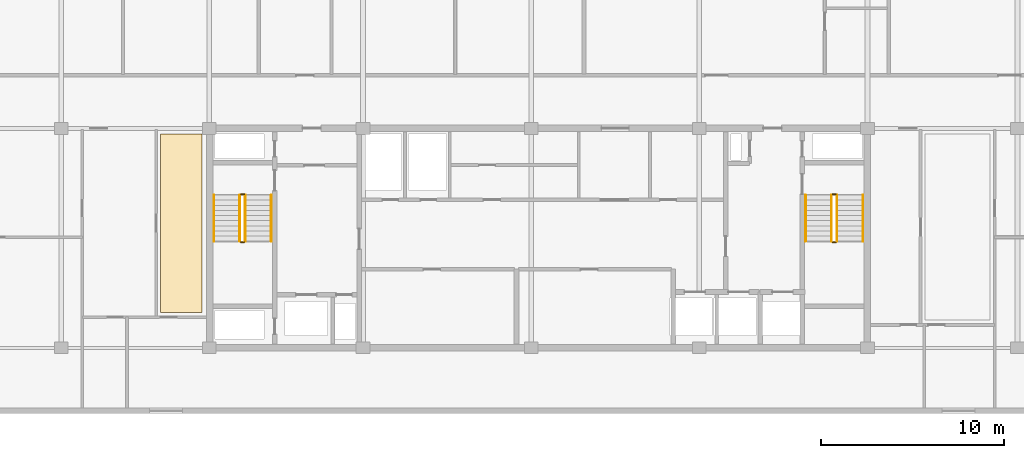
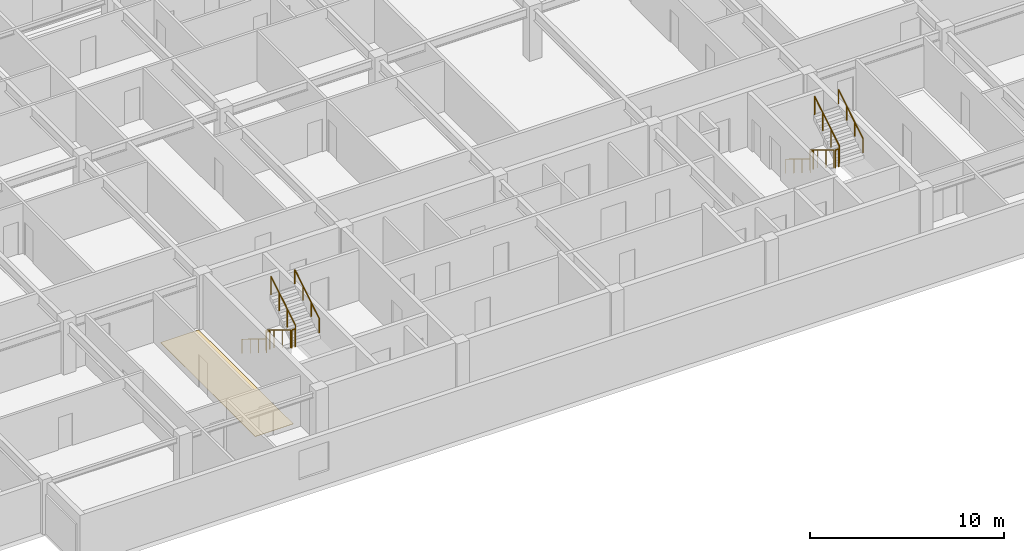
# One storey, part 10 of 11: 12 railings, 1 covering.
"""IFC4 building model written with IfcOpenShell, lengths in metres."""

from ifc_helpers import new_model, si_unit, direction, frame, origin, origin_2d, place, context, subcontext, project, spatial, polyline, circle, outline, extrude, material, layer, layer_set, type_object, element, save


model = new_model("IFC4")

# Units and contexts
model_context = context("Model", 3, precision=1e-05, world=origin(), true_north=direction((0.0, 1.0)))
body_context = subcontext(model_context, "Body", "Model", "MODEL_VIEW")
ifc_project = project(units=[si_unit("LENGTHUNIT", "METRE"), si_unit("AREAUNIT", "SQUARE_METRE"), si_unit("VOLUMEUNIT", "CUBIC_METRE"), si_unit("PLANEANGLEUNIT", "RADIAN"), si_unit("MASSUNIT", "GRAM", prefix="KILO")], contexts=[model_context])

# Site, building, storey
site_placement = place(None, origin())
site = spatial("IfcSite", under=ifc_project, at=site_placement, CompositionType="ELEMENT")
building_placement = place(site_placement, origin())
building = spatial("IfcBuilding", under=site, at=building_placement, Name="Korimba Cascade Residences", CompositionType="ELEMENT")
storey_placement = place(building_placement, frame((0.0, 0.0, 256.25)))
storey = spatial("IfcBuildingStorey", under=building, at=storey_placement, Name="L74", CompositionType="ELEMENT", Elevation=256.25)

# Covering
ifc_material_1 = material(Name="Engineered Spotted-Gum Timber Flooring", Category="wood")
ifc_layer = layer(ifc_material_1, 0.02001953125)
ifc_layer_set = layer_set([ifc_layer], Name="Engineered Spotted-Gum Timber Flooring")
covering_type = type_object("IfcCoveringType", Name="COV-FLR-TIM", PredefinedType="FLOORING", material=ifc_layer_set)
covering_placement = place(storey_placement, origin())
element("IfcCovering", 1, at=covering_placement, inside=storey, type_object=covering_type, Name="L74 Spotted-Gum Timber Flooring L74-T1-FW-L", PredefinedType="FLOORING", context=body_context, shape_type="SweptSolid", body=[
    extrude(outline(polyline([(73.429931640625, 57.139892578125), (75.699951171875, 57.139892578125), (75.699951171875, 66.89990234375), (73.429931640625, 66.89990234375), (73.429931640625, 57.139892578125)])), origin(), (0.0, 0.0, 1.0), 0.02001953125),
])

# Railings
ifc_material_2 = material(Name="Painted Steel Stairwell Guardrail", Category="steel")
railing_type_1 = type_object("IfcRailingType", Name="RLG-ST-GD1150", PredefinedType="GUARDRAIL", material=ifc_material_2)
railing_1_placement = place(storey_placement, frame((77.77001953125, 63.550048828125, 0.172607421875)))
element("IfcRailing", 2, at=railing_1_placement, inside=storey, type_object=railing_type_1, Name="L74 ST-W1 stair guard 1", PredefinedType="GUARDRAIL", context=body_context, shape_type="SweptSolid", body=[
    extrude(circle(Radius=0.02392578125, at=origin_2d()), frame((0.0, 0.0, 1.1259765625), z_axis=(0.0, -0.851400495292, 0.524516154772), x_axis=(1.0, 0.0, 0.0)), (0.0, 0.0, 1.0), 2.9599609375),
    extrude(circle(Radius=0.02099609375, at=origin_2d()), origin(), (0.0, 0.0, 1.0), 1.101806640625),
    extrude(circle(Radius=0.02099609375, at=origin_2d()), frame((0.0, -0.840087890625, 0.517578125)), (0.0, 0.0, 1.0), 1.101806640625),
    extrude(circle(Radius=0.02099609375, at=origin_2d()), frame((0.0, -1.679931640625, 1.034912109375)), (0.0, 0.0, 1.0), 1.101806640625),
    extrude(circle(Radius=0.02099609375, at=origin_2d()), frame((0.0, -2.52001953125, 1.552490234375)), (0.0, 0.0, 1.0), 1.101806640625),
])
railing_2_placement = place(storey_placement, frame((77.820068359375, 60.97998046875, 1.72509765625)))
element("IfcRailing", 3, at=railing_2_placement, inside=storey, type_object=railing_type_1, Name="L74 ST-W1 stair guard 2", PredefinedType="GUARDRAIL", context=body_context, shape_type="SweptSolid", body=[
    extrude(circle(Radius=0.02392578125, at=origin_2d()), frame((0.0, 0.0, 1.1259765625), z_axis=(1.0, 0.0, 0.0), x_axis=(0.0, 1.0, 0.0)), (0.0, 0.0, 1.0), 0.199951171875),
    extrude(circle(Radius=0.02099609375, at=origin_2d()), origin(), (0.0, 0.0, 1.0), 1.101806640625),
    extrude(circle(Radius=0.02099609375, at=origin_2d()), frame((0.199951171875, 0.0, 0.0)), (0.0, 0.0, 1.0), 1.101806640625),
])
railing_3_placement = place(storey_placement, frame((78.070068359375, 61.030029296875, 1.8974609375)))
element("IfcRailing", 4, at=railing_3_placement, inside=storey, type_object=railing_type_1, Name="L74 ST-W1 stair guard 3", PredefinedType="GUARDRAIL", context=body_context, shape_type="SweptSolid", body=[
    extrude(circle(Radius=0.02392578125, at=origin_2d()), frame((0.0, 0.0, 1.1259765625), z_axis=(0.0, 0.851400495292, 0.524516154772), x_axis=(-1.0, 0.0, 0.0)), (0.0, 0.0, 1.0), 2.9599609375),
    extrude(circle(Radius=0.02099609375, at=origin_2d()), origin(), (0.0, 0.0, 1.0), 1.101806640625),
    extrude(circle(Radius=0.02099609375, at=origin_2d()), frame((0.0, 0.840087890625, 0.517578125)), (0.0, 0.0, 1.0), 1.101806640625),
    extrude(circle(Radius=0.02099609375, at=origin_2d()), frame((0.0, 1.679931640625, 1.034912109375)), (0.0, 0.0, 1.0), 1.101806640625),
    extrude(circle(Radius=0.02099609375, at=origin_2d()), frame((0.0, 2.52001953125, 1.552490234375)), (0.0, 0.0, 1.0), 1.101806640625),
])
railing_4_placement = place(storey_placement, frame((77.820068359375, 63.60009765625, 0.0)))
element("IfcRailing", 5, at=railing_4_placement, inside=storey, type_object=railing_type_1, Name="L74 ST-W1 stair guard 4", PredefinedType="GUARDRAIL", context=body_context, shape_type="SweptSolid", body=[
    extrude(circle(Radius=0.02392578125, at=origin_2d()), frame((0.0, 0.0, 1.1259765625), z_axis=(1.0, 0.0, 0.0), x_axis=(0.0, 1.0, 0.0)), (0.0, 0.0, 1.0), 0.199951171875),
    extrude(circle(Radius=0.02099609375, at=origin_2d()), origin(), (0.0, 0.0, 1.0), 1.101806640625),
    extrude(circle(Radius=0.02099609375, at=origin_2d()), frame((0.199951171875, 0.0, 0.0)), (0.0, 0.0, 1.0), 1.101806640625),
])
railing_5_placement = place(storey_placement, frame((110.1298828125, 63.550048828125, 0.172607421875)))
element("IfcRailing", 6, at=railing_5_placement, inside=storey, type_object=railing_type_1, Name="L74 ST-W2 stair guard 1", PredefinedType="GUARDRAIL", context=body_context, shape_type="SweptSolid", body=[
    extrude(circle(Radius=0.02392578125, at=origin_2d()), frame((0.0, 0.0, 1.1259765625), z_axis=(0.0, -0.851400495292, 0.524516154772), x_axis=(1.0, 0.0, 0.0)), (0.0, 0.0, 1.0), 2.9599609375),
    extrude(circle(Radius=0.02099609375, at=origin_2d()), origin(), (0.0, 0.0, 1.0), 1.101806640625),
    extrude(circle(Radius=0.02099609375, at=origin_2d()), frame((0.0, -0.840087890625, 0.517578125)), (0.0, 0.0, 1.0), 1.101806640625),
    extrude(circle(Radius=0.02099609375, at=origin_2d()), frame((0.0, -1.679931640625, 1.034912109375)), (0.0, 0.0, 1.0), 1.101806640625),
    extrude(circle(Radius=0.02099609375, at=origin_2d()), frame((0.0, -2.52001953125, 1.552490234375)), (0.0, 0.0, 1.0), 1.101806640625),
])
railing_6_placement = place(storey_placement, frame((110.179931640625, 60.97998046875, 1.72509765625)))
element("IfcRailing", 7, at=railing_6_placement, inside=storey, type_object=railing_type_1, Name="L74 ST-W2 stair guard 2", PredefinedType="GUARDRAIL", context=body_context, shape_type="SweptSolid", body=[
    extrude(circle(Radius=0.02392578125, at=origin_2d()), frame((0.0, 0.0, 1.1259765625), z_axis=(1.0, 0.0, 0.0), x_axis=(0.0, 1.0, 0.0)), (0.0, 0.0, 1.0), 0.199951171875),
    extrude(circle(Radius=0.02099609375, at=origin_2d()), origin(), (0.0, 0.0, 1.0), 1.101806640625),
    extrude(circle(Radius=0.02099609375, at=origin_2d()), frame((0.199951171875, 0.0, 0.0)), (0.0, 0.0, 1.0), 1.101806640625),
])
railing_7_placement = place(storey_placement, frame((110.429931640625, 61.030029296875, 1.8974609375)))
element("IfcRailing", 8, at=railing_7_placement, inside=storey, type_object=railing_type_1, Name="L74 ST-W2 stair guard 3", PredefinedType="GUARDRAIL", context=body_context, shape_type="SweptSolid", body=[
    extrude(circle(Radius=0.02392578125, at=origin_2d()), frame((0.0, 0.0, 1.1259765625), z_axis=(0.0, 0.851400495292, 0.524516154772), x_axis=(-1.0, 0.0, 0.0)), (0.0, 0.0, 1.0), 2.9599609375),
    extrude(circle(Radius=0.02099609375, at=origin_2d()), origin(), (0.0, 0.0, 1.0), 1.101806640625),
    extrude(circle(Radius=0.02099609375, at=origin_2d()), frame((0.0, 0.840087890625, 0.517578125)), (0.0, 0.0, 1.0), 1.101806640625),
    extrude(circle(Radius=0.02099609375, at=origin_2d()), frame((0.0, 1.679931640625, 1.034912109375)), (0.0, 0.0, 1.0), 1.101806640625),
    extrude(circle(Radius=0.02099609375, at=origin_2d()), frame((0.0, 2.52001953125, 1.552490234375)), (0.0, 0.0, 1.0), 1.101806640625),
])
railing_8_placement = place(storey_placement, frame((110.179931640625, 63.60009765625, 0.0)))
element("IfcRailing", 9, at=railing_8_placement, inside=storey, type_object=railing_type_1, Name="L74 ST-W2 stair guard 4", PredefinedType="GUARDRAIL", context=body_context, shape_type="SweptSolid", body=[
    extrude(circle(Radius=0.02392578125, at=origin_2d()), frame((0.0, 0.0, 1.1259765625), z_axis=(1.0, 0.0, 0.0), x_axis=(0.0, 1.0, 0.0)), (0.0, 0.0, 1.0), 0.199951171875),
    extrude(circle(Radius=0.02099609375, at=origin_2d()), origin(), (0.0, 0.0, 1.0), 1.101806640625),
    extrude(circle(Radius=0.02099609375, at=origin_2d()), frame((0.199951171875, 0.0, 0.0)), (0.0, 0.0, 1.0), 1.101806640625),
])
ifc_material_3 = material(Name="Brushed Stainless Steel Handrail", Category="steel")
railing_type_2 = type_object("IfcRailingType", Name="RLG-ST-HR900", PredefinedType="HANDRAIL", material=ifc_material_3)
railing_9_placement = place(storey_placement, frame((76.35009765625, 63.550048828125, 0.3486328125)))
element("IfcRailing", 10, at=railing_9_placement, inside=storey, type_object=railing_type_2, Name="L74 ST-W1 stair handrail 1", PredefinedType="HANDRAIL", context=body_context, shape_type="SweptSolid", body=[
    extrude(circle(Radius=0.02392578125, at=origin_2d()), frame((0.0, 0.0, 0.8759765625), z_axis=(0.0, -0.851400495292, 0.524516154772), x_axis=(1.0, 0.0, 0.0)), (0.0, 0.0, 1.0), 2.9599609375),
    extrude(circle(Radius=0.02099609375, at=origin_2d()), origin(), (0.0, 0.0, 1.0), 0.851806640625),
    extrude(circle(Radius=0.02099609375, at=origin_2d()), frame((0.0, -0.840087890625, 0.517578125)), (0.0, 0.0, 1.0), 0.851806640625),
    extrude(circle(Radius=0.02099609375, at=origin_2d()), frame((0.0, -1.679931640625, 1.034912109375)), (0.0, 0.0, 1.0), 0.851806640625),
    extrude(circle(Radius=0.02099609375, at=origin_2d()), frame((0.0, -2.52001953125, 1.552490234375)), (0.0, 0.0, 1.0), 0.851806640625),
])
railing_10_placement = place(storey_placement, frame((79.489990234375, 61.030029296875, 2.073486328125)))
element("IfcRailing", 11, at=railing_10_placement, inside=storey, type_object=railing_type_2, Name="L74 ST-W1 stair handrail 2", PredefinedType="HANDRAIL", context=body_context, shape_type="SweptSolid", body=[
    extrude(circle(Radius=0.02392578125, at=origin_2d()), frame((0.0, 0.0, 0.8759765625), z_axis=(0.0, 0.851400495292, 0.524516154772), x_axis=(-1.0, 0.0, 0.0)), (0.0, 0.0, 1.0), 2.9599609375),
    extrude(circle(Radius=0.02099609375, at=origin_2d()), origin(), (0.0, 0.0, 1.0), 0.851806640625),
    extrude(circle(Radius=0.02099609375, at=origin_2d()), frame((0.0, 0.840087890625, 0.517578125)), (0.0, 0.0, 1.0), 0.851806640625),
    extrude(circle(Radius=0.02099609375, at=origin_2d()), frame((0.0, 1.679931640625, 1.034912109375)), (0.0, 0.0, 1.0), 0.851806640625),
    extrude(circle(Radius=0.02099609375, at=origin_2d()), frame((0.0, 2.52001953125, 1.552490234375)), (0.0, 0.0, 1.0), 0.851806640625),
])
railing_11_placement = place(storey_placement, frame((108.7099609375, 63.550048828125, 0.3486328125)))
element("IfcRailing", 12, at=railing_11_placement, inside=storey, type_object=railing_type_2, Name="L74 ST-W2 stair handrail 1", PredefinedType="HANDRAIL", context=body_context, shape_type="SweptSolid", body=[
    extrude(circle(Radius=0.02392578125, at=origin_2d()), frame((0.0, 0.0, 0.8759765625), z_axis=(0.0, -0.851400495292, 0.524516154772), x_axis=(1.0, 0.0, 0.0)), (0.0, 0.0, 1.0), 2.9599609375),
    extrude(circle(Radius=0.02099609375, at=origin_2d()), origin(), (0.0, 0.0, 1.0), 0.851806640625),
    extrude(circle(Radius=0.02099609375, at=origin_2d()), frame((0.0, -0.840087890625, 0.517578125)), (0.0, 0.0, 1.0), 0.851806640625),
    extrude(circle(Radius=0.02099609375, at=origin_2d()), frame((0.0, -1.679931640625, 1.034912109375)), (0.0, 0.0, 1.0), 0.851806640625),
    extrude(circle(Radius=0.02099609375, at=origin_2d()), frame((0.0, -2.52001953125, 1.552490234375)), (0.0, 0.0, 1.0), 0.851806640625),
])
railing_12_placement = place(storey_placement, frame((111.85009765625, 61.030029296875, 2.073486328125)))
element("IfcRailing", 13, at=railing_12_placement, inside=storey, type_object=railing_type_2, Name="L74 ST-W2 stair handrail 2", PredefinedType="HANDRAIL", context=body_context, shape_type="SweptSolid", body=[
    extrude(circle(Radius=0.02392578125, at=origin_2d()), frame((0.0, 0.0, 0.8759765625), z_axis=(0.0, 0.851400495292, 0.524516154772), x_axis=(-1.0, 0.0, 0.0)), (0.0, 0.0, 1.0), 2.9599609375),
    extrude(circle(Radius=0.02099609375, at=origin_2d()), origin(), (0.0, 0.0, 1.0), 0.851806640625),
    extrude(circle(Radius=0.02099609375, at=origin_2d()), frame((0.0, 0.840087890625, 0.517578125)), (0.0, 0.0, 1.0), 0.851806640625),
    extrude(circle(Radius=0.02099609375, at=origin_2d()), frame((0.0, 1.679931640625, 1.034912109375)), (0.0, 0.0, 1.0), 0.851806640625),
    extrude(circle(Radius=0.02099609375, at=origin_2d()), frame((0.0, 2.52001953125, 1.552490234375)), (0.0, 0.0, 1.0), 0.851806640625),
])

save(model, "model.ifc")
